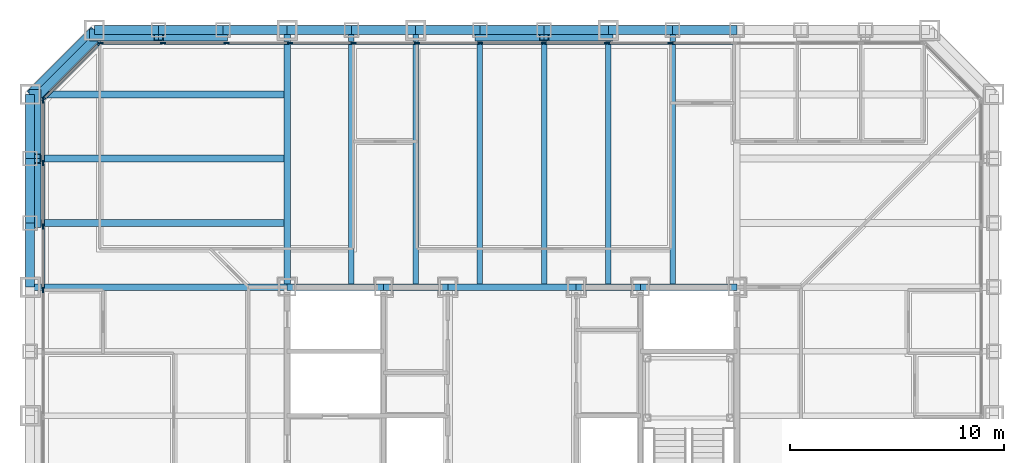
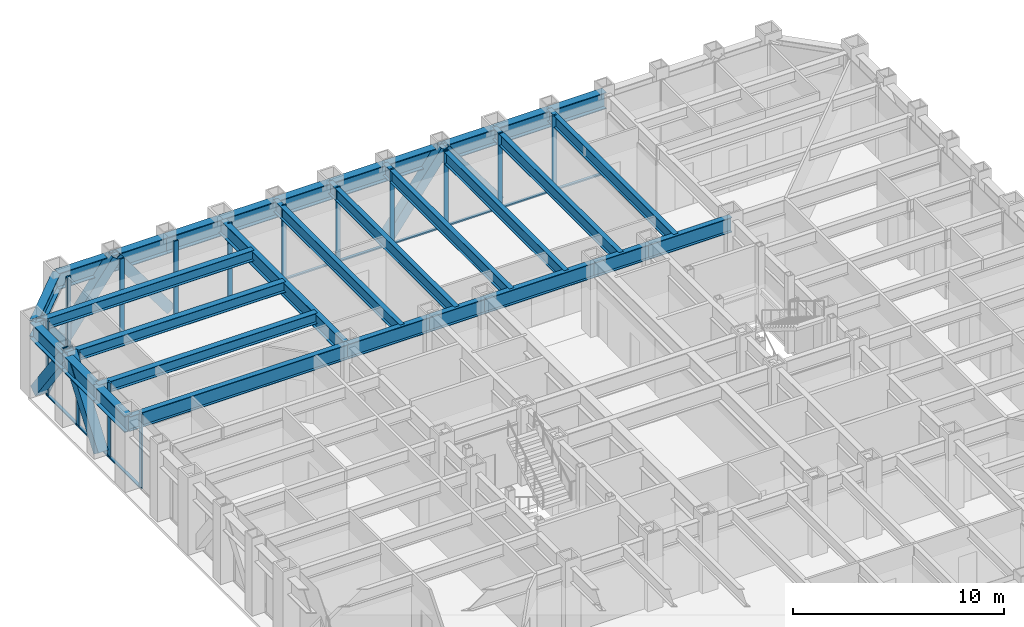
# One storey, part 5 of 16: 37 members, 30 beams, 3 elements without a shape of their own.
"""IFC4 building model written with IfcOpenShell, lengths in metres."""

from ifc_helpers import new_model, si_unit, direction, frame, origin, origin_2d, place, context, subcontext, project, spatial, rectangle, hollow_rectangle, i_section, extrude, material, layer, layer_set, material_profile, profile_set, type_object, element, aggregate, save


model = new_model("IFC4")

# Units and contexts
model_context = context("Model", 3, precision=1e-05, world=origin(), true_north=direction((0.0, 1.0)))
body_context = subcontext(model_context, "Body", "Model", "MODEL_VIEW")
ifc_project = project(units=[si_unit("LENGTHUNIT", "METRE"), si_unit("AREAUNIT", "SQUARE_METRE"), si_unit("VOLUMEUNIT", "CUBIC_METRE"), si_unit("PLANEANGLEUNIT", "RADIAN"), si_unit("MASSUNIT", "GRAM", prefix="KILO")], contexts=[model_context])

# Site, building, storey
site_placement = place(None, origin())
site = spatial("IfcSite", under=ifc_project, at=site_placement, CompositionType="ELEMENT")
building_placement = place(site_placement, origin())
building = spatial("IfcBuilding", under=site, at=building_placement, Name="Chuquiago Exchange Tower", CompositionType="ELEMENT")
storey_placement = place(building_placement, frame((0.0, 0.0, 28.800048828125)))
storey = spatial("IfcBuildingStorey", under=building, at=storey_placement, Name="L05", CompositionType="ELEMENT", Elevation=28.800048828125)

# Beams
ifc_material_1 = material(Name="Steel ASTM A992", Category="steel")
ifc_material_profile_1 = material_profile(ifc_material_1, i_section(OverallWidth=0.2919921875, OverallDepth=0.8583984375, WebThickness=0.01708984375, FlangeThickness=0.031005859375, at=origin_2d()), Name="W33X169")
ifc_profile_set_1 = profile_set([ifc_material_profile_1], Name="Steel ASTM A992")
beam_type_1 = type_object("IfcBeamType", Name="B3 W33X169", PredefinedType="BEAM", material=ifc_profile_set_1)
beam_1_placement = place(storey_placement, frame((12.0, 33.0, 3.610595703125), z_axis=(1.0, 0.0, 0.0), x_axis=(0.0, 1.0, 0.0)))
element("IfcBeam", 1, at=beam_1_placement, inside=storey, type_object=beam_type_1, Name="CB-L06-12_33-16.5_33", PredefinedType="BEAM", context=body_context, shape_type="SweptSolid", body=[
    extrude(i_section(OverallWidth=0.2919921875, OverallDepth=0.8583984375, WebThickness=0.01708984375, FlangeThickness=0.031005859375, at=origin_2d()), origin(), (0.0, 0.0, 1.0), 4.5),
])
beam_2_placement = place(storey_placement, frame((16.5, 33.0, 3.610595703125), z_axis=(1.0, 0.0, 0.0), x_axis=(0.0, 1.0, 0.0)))
element("IfcBeam", 2, at=beam_2_placement, inside=storey, type_object=beam_type_1, Name="CB-L06-16.5_33-19.5_33", PredefinedType="BEAM", context=body_context, shape_type="SweptSolid", body=[
    extrude(i_section(OverallWidth=0.2919921875, OverallDepth=0.8583984375, WebThickness=0.01708984375, FlangeThickness=0.031005859375, at=origin_2d()), origin(), (0.0, 0.0, 1.0), 3.0),
])
beam_3_placement = place(storey_placement, frame((19.5, 33.0, 3.610595703125), z_axis=(1.0, 0.0, 0.0), x_axis=(0.0, 1.0, 0.0)))
element("IfcBeam", 3, at=beam_3_placement, inside=storey, type_object=beam_type_1, Name="CB-L06-19.5_33-25.5_33", PredefinedType="BEAM", context=body_context, shape_type="SweptSolid", body=[
    extrude(i_section(OverallWidth=0.2919921875, OverallDepth=0.8583984375, WebThickness=0.01708984375, FlangeThickness=0.031005859375, at=origin_2d()), origin(), (0.0, 0.0, 1.0), 6.0),
])
beam_4_placement = place(storey_placement, frame((25.5, 33.0, 3.610595703125), z_axis=(1.0, 0.0, 0.0), x_axis=(0.0, 1.0, 0.0)))
element("IfcBeam", 4, at=beam_4_placement, inside=storey, type_object=beam_type_1, Name="CB-L06-25.5_33-28.5_33", PredefinedType="BEAM", context=body_context, shape_type="SweptSolid", body=[
    extrude(i_section(OverallWidth=0.2919921875, OverallDepth=0.8583984375, WebThickness=0.01708984375, FlangeThickness=0.031005859375, at=origin_2d()), origin(), (0.0, 0.0, 1.0), 3.0),
])
beam_5_placement = place(storey_placement, frame((28.5, 33.0, 3.610595703125), z_axis=(1.0, 0.0, 0.0), x_axis=(0.0, 1.0, 0.0)))
element("IfcBeam", 5, at=beam_5_placement, inside=storey, type_object=beam_type_1, Name="CB-L06-28.5_33-33_33", PredefinedType="BEAM", context=body_context, shape_type="SweptSolid", body=[
    extrude(i_section(OverallWidth=0.2919921875, OverallDepth=0.8583984375, WebThickness=0.01708984375, FlangeThickness=0.031005859375, at=origin_2d()), origin(), (0.0, 0.0, 1.0), 4.5),
])
ifc_material_2 = material(Name="Steel ASTM A992", Category="steel")
ifc_material_profile_2 = material_profile(ifc_material_2, i_section(OverallWidth=0.256591796875, OverallDepth=0.693359375, WebThickness=0.014404296875, FlangeThickness=0.023681640625, at=origin_2d()), Name="W27X114")
ifc_profile_set_2 = profile_set([ifc_material_profile_2], Name="Steel ASTM A992")
beam_type_2 = type_object("IfcBeamType", Name="B4 W27X114", PredefinedType="BEAM", material=ifc_profile_set_2)
for number, where, z_axis, x_axis, name in (
    (6, (15.0, 33.0, 3.693359375), (0.0, 1.0, 0.0), (-1.0, 0.0, 0.0), "FB-L06-infill-15_33-15_45-0"),
    (7, (18.0, 33.0, 3.693359375), (0.0, 1.0, 0.0), (-1.0, 0.0, 0.0), "FB-L06-infill-18_33-18_45-0"),
    (8, (21.0, 33.0, 3.693359375), (0.0, 1.0, 0.0), (-1.0, 0.0, 0.0), "FB-L06-infill-21_33-21_45-0"),
    (9, (24.0, 33.0, 3.693359375), (0.0, 1.0, 0.0), (-1.0, 0.0, 0.0), "FB-L06-infill-24_33-24_45-0"),
    (10, (27.0, 33.0, 3.693359375), (0.0, 1.0, 0.0), (-1.0, 0.0, 0.0), "FB-L06-infill-27_33-27_45-0"),
    (11, (30.0, 33.0, 3.693359375), (0.0, 1.0, 0.0), (-1.0, 0.0, 0.0), "FB-L06-infill-30_33-30_45-0"),
):
    element("IfcBeam", number, at=place(storey_placement, frame(where, z_axis=z_axis, x_axis=x_axis)), inside=storey, type_object=beam_type_2, Name=name, PredefinedType="BEAM", context=body_context, shape_type="SweptSolid", body=[
        extrude(i_section(OverallWidth=0.256591796875, OverallDepth=0.693359375, WebThickness=0.014404296875, FlangeThickness=0.023681640625, at=origin_2d()), origin(), (0.0, 0.0, 1.0), 12.0),
    ])
ifc_material_3 = material(Name="Steel ASTM A992", Category="steel")
ifc_material_profile_3 = material_profile(ifc_material_3, i_section(OverallWidth=0.3251953125, OverallDepth=0.6171875, WebThickness=0.013916015625, FlangeThickness=0.021484375, at=origin_2d()), Name="W24X117")
ifc_profile_set_3 = profile_set([ifc_material_profile_3], Name="Steel ASTM A992")
beam_type_3 = type_object("IfcBeamType", Name="B5 W24X117", PredefinedType="BEAM", material=ifc_profile_set_3)
for number, where, z_axis, x_axis, name in (
    (12, (12.0, 36.0, 3.7314453125), (-1.0, 0.0, 0.0), (0.0, -1.0, 0.0), "FB-L06-corner-12_36--0_36-0"),
    (13, (12.0, 39.0, 3.7314453125), (-1.0, 0.0, 0.0), (0.0, -1.0, 0.0), "FB-L06-corner-12_39--0_39-0"),
    (14, (12.0, 42.0, 3.7314453125), (-1.0, 0.0, 0.0), (0.0, -1.0, 0.0), "FB-L06-corner-12_42--0_42-0"),
):
    element("IfcBeam", number, at=place(storey_placement, frame(where, z_axis=z_axis, x_axis=x_axis)), inside=storey, type_object=beam_type_3, Name=name, PredefinedType="BEAM", context=body_context, shape_type="SweptSolid", body=[
        extrude(i_section(OverallWidth=0.3251953125, OverallDepth=0.6171875, WebThickness=0.013916015625, FlangeThickness=0.021484375, at=origin_2d()), origin(), (0.0, 0.0, 1.0), 12.0),
    ])

# Curtain wall, members
ifc_material_4 = material(Name="Aluminium curtain wall system", Category="aluminium")
ifc_layer_1 = layer(ifc_material_4, 0.25)
ifc_layer_set_1 = layer_set([ifc_layer_1], Name="CW1 trading floor curtain wall")
curtain_wall_type_1 = type_object("IfcCurtainWallType", Name="CW1 trading floor curtain wall", PredefinedType="NOTDEFINED", material=ifc_layer_set_1)
curtain_wall_1_placement = place(storey_placement, origin())
curtain_wall_1 = element("IfcCurtainWall", 15, at=curtain_wall_1_placement, inside=storey, type_object=curtain_wall_type_1, Name="CW1 curtain wall L05", PredefinedType="NOTDEFINED")
ifc_material_5 = material(Name="Aluminium mullion, pale anodised", Category="aluminium")
ifc_material_profile_4 = material_profile(ifc_material_5, rectangle(XDim=0.074951171875, YDim=0.25, at=origin_2d()), Name="AL 75x250")
ifc_profile_set_4 = profile_set([ifc_material_profile_4], Name="Aluminium mullion, pale anodised")
member_type_1 = type_object("IfcMemberType", Name="CW1-M mullion 75x250", PredefinedType="MULLION", material=ifc_profile_set_4)
member_1_placement = place(storey_placement, frame((29.904541015625, 44.39990234375, -0.300048828125), z_axis=(0.0, 0.0, 1.0), x_axis=(0.0, -1.0, 0.0)))
member_1 = element("IfcMember", 16, at=member_1_placement, type_object=member_type_1, Name="CW1 mullion 5", PredefinedType="MULLION", context=body_context, shape_type="SweptSolid", body=[
    extrude(rectangle(XDim=0.074951171875, YDim=0.25, at=origin_2d()), origin(), (0.0, 0.0, 1.0), 4.340087890625),
])
member_2_placement = place(storey_placement, frame((26.942626953125, 44.39990234375, -0.300048828125), z_axis=(0.0, 0.0, 1.0), x_axis=(0.0, -1.0, 0.0)))
member_2 = element("IfcMember", 17, at=member_2_placement, type_object=member_type_1, Name="CW1 mullion 6", PredefinedType="MULLION", context=body_context, shape_type="SweptSolid", body=[
    extrude(rectangle(XDim=0.074951171875, YDim=0.25, at=origin_2d()), origin(), (0.0, 0.0, 1.0), 4.340087890625),
])
member_3_placement = place(storey_placement, frame((23.98095703125, 44.39990234375, -0.300048828125), z_axis=(0.0, 0.0, 1.0), x_axis=(0.0, -1.0, 0.0)))
member_3 = element("IfcMember", 18, at=member_3_placement, type_object=member_type_1, Name="CW1 mullion 7", PredefinedType="MULLION", context=body_context, shape_type="SweptSolid", body=[
    extrude(rectangle(XDim=0.074951171875, YDim=0.25, at=origin_2d()), origin(), (0.0, 0.0, 1.0), 4.340087890625),
])
member_4_placement = place(storey_placement, frame((21.01904296875, 44.39990234375, -0.300048828125), z_axis=(0.0, 0.0, 1.0), x_axis=(0.0, -1.0, 0.0)))
member_4 = element("IfcMember", 19, at=member_4_placement, type_object=member_type_1, Name="CW1 mullion 8", PredefinedType="MULLION", context=body_context, shape_type="SweptSolid", body=[
    extrude(rectangle(XDim=0.074951171875, YDim=0.25, at=origin_2d()), origin(), (0.0, 0.0, 1.0), 4.340087890625),
])
member_5_placement = place(storey_placement, frame((18.057373046875, 44.39990234375, -0.300048828125), z_axis=(0.0, 0.0, 1.0), x_axis=(0.0, -1.0, 0.0)))
member_5 = element("IfcMember", 20, at=member_5_placement, type_object=member_type_1, Name="CW1 mullion 9", PredefinedType="MULLION", context=body_context, shape_type="SweptSolid", body=[
    extrude(rectangle(XDim=0.074951171875, YDim=0.25, at=origin_2d()), origin(), (0.0, 0.0, 1.0), 4.340087890625),
])
member_6_placement = place(storey_placement, frame((15.095458984375, 44.39990234375, -0.300048828125), z_axis=(0.0, 0.0, 1.0), x_axis=(0.0, -1.0, 0.0)))
member_6 = element("IfcMember", 21, at=member_6_placement, type_object=member_type_1, Name="CW1 mullion 10", PredefinedType="MULLION", context=body_context, shape_type="SweptSolid", body=[
    extrude(rectangle(XDim=0.074951171875, YDim=0.25, at=origin_2d()), origin(), (0.0, 0.0, 1.0), 4.340087890625),
])
member_7_placement = place(storey_placement, frame((12.1337890625, 44.39990234375, -0.300048828125), z_axis=(0.0, 0.0, 1.0), x_axis=(0.0, -1.0, 0.0)))
member_7 = element("IfcMember", 22, at=member_7_placement, type_object=member_type_1, Name="CW1 mullion 11", PredefinedType="MULLION", context=body_context, shape_type="SweptSolid", body=[
    extrude(rectangle(XDim=0.074951171875, YDim=0.25, at=origin_2d()), origin(), (0.0, 0.0, 1.0), 4.340087890625),
])
member_8_placement = place(storey_placement, frame((9.172119140625, 44.39990234375, -0.300048828125), z_axis=(0.0, 0.0, 1.0), x_axis=(0.0, -1.0, 0.0)))
member_8 = element("IfcMember", 23, at=member_8_placement, type_object=member_type_1, Name="CW1 mullion 12", PredefinedType="MULLION", context=body_context, shape_type="SweptSolid", body=[
    extrude(rectangle(XDim=0.074951171875, YDim=0.25, at=origin_2d()), origin(), (0.0, 0.0, 1.0), 4.340087890625),
])
member_9_placement = place(storey_placement, frame((6.210205078125, 44.39990234375, -0.300048828125), z_axis=(0.0, 0.0, 1.0), x_axis=(0.0, -1.0, 0.0)))
member_9 = element("IfcMember", 24, at=member_9_placement, type_object=member_type_1, Name="CW1 mullion 13", PredefinedType="MULLION", context=body_context, shape_type="SweptSolid", body=[
    extrude(rectangle(XDim=0.074951171875, YDim=0.25, at=origin_2d()), origin(), (0.0, 0.0, 1.0), 4.340087890625),
])
member_10_placement = place(storey_placement, frame((3.285888671875, 44.39990234375, -0.300048828125), z_axis=(0.0, 0.0, 1.0), x_axis=(0.0, -1.0, 0.0)))
member_10 = element("IfcMember", 25, at=member_10_placement, type_object=member_type_1, Name="CW1 mullion 14", PredefinedType="MULLION", context=body_context, shape_type="SweptSolid", body=[
    extrude(rectangle(XDim=0.074951171875, YDim=0.25, at=origin_2d()), origin(), (0.0, 0.0, 1.0), 4.340087890625),
])

curtain_wall_2_placement = place(storey_placement, origin())
curtain_wall_2 = element("IfcCurtainWall", 26, at=curtain_wall_2_placement, inside=storey, type_object=curtain_wall_type_1, Name="CW1 curtain wall L05", PredefinedType="NOTDEFINED")
member_11_placement = place(storey_placement, frame((0.60009765625, 41.714111328125, -0.300048828125), z_axis=(0.0, 0.0, 1.0), x_axis=(1.0, 0.0, 0.0)))
member_11 = element("IfcMember", 27, at=member_11_placement, type_object=member_type_1, Name="CW1 mullion 1", PredefinedType="MULLION", context=body_context, shape_type="SweptSolid", body=[
    extrude(rectangle(XDim=0.074951171875, YDim=0.25, at=origin_2d()), origin(), (0.0, 0.0, 1.0), 4.340087890625),
])
member_12_placement = place(storey_placement, frame((0.60009765625, 38.789794921875, -0.300048828125), z_axis=(0.0, 0.0, 1.0), x_axis=(1.0, 0.0, 0.0)))
member_12 = element("IfcMember", 28, at=member_12_placement, type_object=member_type_1, Name="CW1 mullion 2", PredefinedType="MULLION", context=body_context, shape_type="SweptSolid", body=[
    extrude(rectangle(XDim=0.074951171875, YDim=0.25, at=origin_2d()), origin(), (0.0, 0.0, 1.0), 4.340087890625),
])
member_13_placement = place(storey_placement, frame((0.60009765625, 35.827880859375, -0.300048828125), z_axis=(0.0, 0.0, 1.0), x_axis=(1.0, 0.0, 0.0)))
member_13 = element("IfcMember", 29, at=member_13_placement, type_object=member_type_1, Name="CW1 mullion 3", PredefinedType="MULLION", context=body_context, shape_type="SweptSolid", body=[
    extrude(rectangle(XDim=0.074951171875, YDim=0.25, at=origin_2d()), origin(), (0.0, 0.0, 1.0), 4.340087890625),
])
member_14_placement = place(storey_placement, frame((0.60009765625, 32.8662109375, -0.300048828125), z_axis=(0.0, 0.0, 1.0), x_axis=(1.0, 0.0, 0.0)))
member_14 = element("IfcMember", 30, at=member_14_placement, type_object=member_type_1, Name="CW1 mullion 4", PredefinedType="MULLION", context=body_context, shape_type="SweptSolid", body=[
    extrude(rectangle(XDim=0.074951171875, YDim=0.25, at=origin_2d()), origin(), (0.0, 0.0, 1.0), 4.340087890625),
])

# Member
ifc_material_6 = material(Name="Aluminium transom, pale anodised", Category="aluminium")
ifc_material_profile_5 = material_profile(ifc_material_6, rectangle(XDim=0.14990234375, YDim=0.074951171875, at=origin_2d()), Name="AL 150x75")
ifc_profile_set_5 = profile_set([ifc_material_profile_5], Name="Aluminium transom, pale anodised")
member_type_2 = type_object("IfcMemberType", Name="CW1-T transom 75x150", PredefinedType="MULLION", material=ifc_profile_set_5)
member_15_placement = place(storey_placement, frame((32.82861328125, 44.39990234375, -0.262451171875), z_axis=(-1.0, 0.0, 0.0), x_axis=(0.0, -1.0, 0.0)))
member_15 = element("IfcMember", 31, at=member_15_placement, type_object=member_type_2, Name="CW1 transom 4.1", PredefinedType="MULLION", context=body_context, shape_type="SweptSolid", body=[
    extrude(rectangle(XDim=0.14990234375, YDim=0.074951171875, at=origin_2d()), origin(), (0.0, 0.0, 1.0), 2.88671875),
])

member_16_placement = place(storey_placement, frame((29.866943359375, 44.39990234375, -0.262451171875), z_axis=(-1.0, 0.0, 0.0), x_axis=(0.0, -1.0, 0.0)))
member_16 = element("IfcMember", 32, at=member_16_placement, type_object=member_type_2, Name="CW1 transom 5.1", PredefinedType="MULLION", context=body_context, shape_type="SweptSolid", body=[
    extrude(rectangle(XDim=0.14990234375, YDim=0.074951171875, at=origin_2d()), origin(), (0.0, 0.0, 1.0), 2.88671875),
])

member_17_placement = place(storey_placement, frame((26.9052734375, 44.39990234375, -0.262451171875), z_axis=(-1.0, 0.0, 0.0), x_axis=(0.0, -1.0, 0.0)))
member_17 = element("IfcMember", 33, at=member_17_placement, type_object=member_type_2, Name="CW1 transom 6.1", PredefinedType="MULLION", context=body_context, shape_type="SweptSolid", body=[
    extrude(rectangle(XDim=0.14990234375, YDim=0.074951171875, at=origin_2d()), origin(), (0.0, 0.0, 1.0), 2.886962890625),
])

member_18_placement = place(storey_placement, frame((23.943359375, 44.39990234375, -0.262451171875), z_axis=(-1.0, 0.0, 0.0), x_axis=(0.0, -1.0, 0.0)))
member_18 = element("IfcMember", 34, at=member_18_placement, type_object=member_type_2, Name="CW1 transom 7.1", PredefinedType="MULLION", context=body_context, shape_type="SweptSolid", body=[
    extrude(rectangle(XDim=0.14990234375, YDim=0.074951171875, at=origin_2d()), origin(), (0.0, 0.0, 1.0), 2.88671875),
])

member_19_placement = place(storey_placement, frame((20.981689453125, 44.39990234375, -0.262451171875), z_axis=(-1.0, 0.0, 0.0), x_axis=(0.0, -1.0, 0.0)))
member_19 = element("IfcMember", 35, at=member_19_placement, type_object=member_type_2, Name="CW1 transom 8.1", PredefinedType="MULLION", context=body_context, shape_type="SweptSolid", body=[
    extrude(rectangle(XDim=0.14990234375, YDim=0.074951171875, at=origin_2d()), origin(), (0.0, 0.0, 1.0), 2.886962890625),
])

member_20_placement = place(storey_placement, frame((18.019775390625, 44.39990234375, -0.262451171875), z_axis=(-1.0, 0.0, 0.0), x_axis=(0.0, -1.0, 0.0)))
member_20 = element("IfcMember", 36, at=member_20_placement, type_object=member_type_2, Name="CW1 transom 9.1", PredefinedType="MULLION", context=body_context, shape_type="SweptSolid", body=[
    extrude(rectangle(XDim=0.14990234375, YDim=0.074951171875, at=origin_2d()), origin(), (0.0, 0.0, 1.0), 2.88671875),
])

member_21_placement = place(storey_placement, frame((15.05810546875, 44.39990234375, -0.262451171875), z_axis=(-1.0, 0.0, 0.0), x_axis=(0.0, -1.0, 0.0)))
member_21 = element("IfcMember", 37, at=member_21_placement, type_object=member_type_2, Name="CW1 transom 10.1", PredefinedType="MULLION", context=body_context, shape_type="SweptSolid", body=[
    extrude(rectangle(XDim=0.14990234375, YDim=0.074951171875, at=origin_2d()), origin(), (0.0, 0.0, 1.0), 2.88671875),
])

member_22_placement = place(storey_placement, frame((12.09619140625, 44.39990234375, -0.262451171875), z_axis=(-1.0, 0.0, 0.0), x_axis=(0.0, -1.0, 0.0)))
member_22 = element("IfcMember", 38, at=member_22_placement, type_object=member_type_2, Name="CW1 transom 11.1", PredefinedType="MULLION", context=body_context, shape_type="SweptSolid", body=[
    extrude(rectangle(XDim=0.14990234375, YDim=0.074951171875, at=origin_2d()), origin(), (0.0, 0.0, 1.0), 2.88671875),
])

member_23_placement = place(storey_placement, frame((9.134521484375, 44.39990234375, -0.262451171875), z_axis=(-1.0, 0.0, 0.0), x_axis=(0.0, -1.0, 0.0)))
member_23 = element("IfcMember", 39, at=member_23_placement, type_object=member_type_2, Name="CW1 transom 12.1", PredefinedType="MULLION", context=body_context, shape_type="SweptSolid", body=[
    extrude(rectangle(XDim=0.14990234375, YDim=0.074951171875, at=origin_2d()), origin(), (0.0, 0.0, 1.0), 2.88671875),
])

member_24_placement = place(storey_placement, frame((6.1728515625, 44.39990234375, -0.262451171875), z_axis=(-1.0, 0.0, 0.0), x_axis=(0.0, -1.0, 0.0)))
member_24 = element("IfcMember", 40, at=member_24_placement, type_object=member_type_2, Name="CW1 transom 13.1", PredefinedType="MULLION", context=body_context, shape_type="SweptSolid", body=[
    extrude(rectangle(XDim=0.14990234375, YDim=0.074951171875, at=origin_2d()), origin(), (0.0, 0.0, 1.0), 2.849365234375),
])

aggregate(curtain_wall_1, [member_1, member_2, member_3, member_4, member_5, member_6, member_7, member_8, member_9, member_10, member_15, member_16, member_17, member_18, member_19, member_20, member_21, member_22, member_23, member_24])

member_25_placement = place(storey_placement, frame((0.60009765625, 41.676513671875, -0.262451171875), z_axis=(0.0, -1.0, 0.0), x_axis=(1.0, 0.0, 0.0)))
member_25 = element("IfcMember", 41, at=member_25_placement, type_object=member_type_2, Name="CW1 transom 1.1", PredefinedType="MULLION", context=body_context, shape_type="SweptSolid", body=[
    extrude(rectangle(XDim=0.14990234375, YDim=0.074951171875, at=origin_2d()), origin(), (0.0, 0.0, 1.0), 2.849365234375),
])

member_26_placement = place(storey_placement, frame((0.60009765625, 38.752197265625, -0.262451171875), z_axis=(0.0, -1.0, 0.0), x_axis=(1.0, 0.0, 0.0)))
member_26 = element("IfcMember", 42, at=member_26_placement, type_object=member_type_2, Name="CW1 transom 2.1", PredefinedType="MULLION", context=body_context, shape_type="SweptSolid", body=[
    extrude(rectangle(XDim=0.14990234375, YDim=0.074951171875, at=origin_2d()), origin(), (0.0, 0.0, 1.0), 2.88671875),
])

member_27_placement = place(storey_placement, frame((0.60009765625, 35.79052734375, -0.262451171875), z_axis=(0.0, -1.0, 0.0), x_axis=(1.0, 0.0, 0.0)))
member_27 = element("IfcMember", 43, at=member_27_placement, type_object=member_type_2, Name="CW1 transom 3.1", PredefinedType="MULLION", context=body_context, shape_type="SweptSolid", body=[
    extrude(rectangle(XDim=0.14990234375, YDim=0.074951171875, at=origin_2d()), origin(), (0.0, 0.0, 1.0), 2.88671875),
])

aggregate(curtain_wall_2, [member_11, member_12, member_13, member_14, member_25, member_26, member_27])

# Curtain wall, members
ifc_material_7 = material(Name="Aluminium curtain wall system", Category="aluminium")
ifc_layer_2 = layer(ifc_material_7, 0.199951171875)
ifc_layer_set_2 = layer_set([ifc_layer_2], Name="CW3 facet curtain wall")
curtain_wall_type_2 = type_object("IfcCurtainWallType", Name="CW3 facet curtain wall", PredefinedType="NOTDEFINED", material=ifc_layer_set_2)
curtain_wall_3_placement = place(storey_placement, origin())
curtain_wall_3 = element("IfcCurtainWall", 44, at=curtain_wall_3_placement, inside=storey, type_object=curtain_wall_type_2, Name="CW3 curtain wall L05", PredefinedType="NOTDEFINED")
ifc_material_8 = material(Name="Aluminium mullion, pale anodised", Category="aluminium")
ifc_material_profile_6 = material_profile(ifc_material_8, rectangle(XDim=0.06494140625, YDim=0.199951171875, at=origin_2d()), Name="AL 65x200")
ifc_profile_set_6 = profile_set([ifc_material_profile_6], Name="Aluminium mullion, pale anodised")
member_type_3 = type_object("IfcMemberType", Name="CW3-M mullion 65x200", PredefinedType="MULLION", material=ifc_profile_set_6)
member_28_placement = place(storey_placement, frame((3.2255859375, 44.376953125, -0.300048828125), z_axis=(0.0, 0.0, 1.0), x_axis=(0.707106781187, -0.707106781187, 0.0)))
member_28 = element("IfcMember", 45, at=member_28_placement, type_object=member_type_3, Name="CW3 mullion 1", PredefinedType="MULLION", context=body_context, shape_type="SweptSolid", body=[
    extrude(rectangle(XDim=0.06494140625, YDim=0.199951171875, at=origin_2d()), origin(), (0.0, 0.0, 1.0), 4.340087890625),
])
member_29_placement = place(storey_placement, frame((0.623046875, 41.7744140625, -0.300048828125), z_axis=(0.0, 0.0, 1.0), x_axis=(0.707106781187, -0.707106781187, 0.0)))
member_29 = element("IfcMember", 46, at=member_29_placement, type_object=member_type_3, Name="CW3 mullion 2", PredefinedType="MULLION", context=body_context, shape_type="SweptSolid", body=[
    extrude(rectangle(XDim=0.06494140625, YDim=0.199951171875, at=origin_2d()), origin(), (0.0, 0.0, 1.0), 4.340087890625),
])
ifc_material_9 = material(Name="Aluminium transom, pale anodised", Category="aluminium")
ifc_material_profile_7 = material_profile(ifc_material_9, rectangle(XDim=0.139892578125, YDim=0.06494140625, at=origin_2d()), Name="AL 140x65")
ifc_profile_set_7 = profile_set([ifc_material_profile_7], Name="Aluminium transom, pale anodised")
member_type_4 = type_object("IfcMemberType", Name="CW3-T transom 65x140", PredefinedType="MULLION", material=ifc_profile_set_7)
member_30_placement = place(storey_placement, frame((3.20263671875, 44.35400390625, -0.267578125), z_axis=(-0.707106781187, -0.707106781187, 0.0), x_axis=(0.707106781187, -0.707106781187, 0.0)))
member_30 = element("IfcMember", 47, at=member_30_placement, type_object=member_type_4, Name="CW3 transom 1.1", PredefinedType="MULLION", context=body_context, shape_type="SweptSolid", body=[
    extrude(rectangle(XDim=0.139892578125, YDim=0.06494140625, at=origin_2d()), origin(), (0.0, 0.0, 1.0), 3.61572265625),
])
aggregate(curtain_wall_3, [member_28, member_29, member_30])

# Beams
ifc_material_10 = material(Name="Steel ASTM A992", Category="steel")
ifc_material_profile_8 = material_profile(ifc_material_10, i_section(OverallWidth=0.2919921875, OverallDepth=0.8583984375, WebThickness=0.01708984375, FlangeThickness=0.031005859375, at=origin_2d()), Name="W33X169")
ifc_profile_set_8 = profile_set([ifc_material_profile_8], Name="Steel ASTM A992")
beam_type_4 = type_object("IfcBeamType", Name="G2 W33X169", PredefinedType="BEAM", material=ifc_profile_set_8)
for number, where, z_axis, x_axis, name in (
    (48, (12.0, 33.0, 3.610595703125), (0.0, 1.0, 0.0), (-1.0, 0.0, 0.0), "FB-L06-girder-12_33-12_45-0"),
    (49, (12.0, 33.0, 3.610595703125), (-1.0, 0.0, 0.0), (0.0, -1.0, 0.0), "FB-L06-girder-12_33--0_33-0"),
):
    element("IfcBeam", number, at=place(storey_placement, frame(where, z_axis=z_axis, x_axis=x_axis)), inside=storey, type_object=beam_type_4, Name=name, PredefinedType="BEAM", context=body_context, shape_type="SweptSolid", body=[
        extrude(i_section(OverallWidth=0.2919921875, OverallDepth=0.8583984375, WebThickness=0.01708984375, FlangeThickness=0.031005859375, at=origin_2d()), origin(), (0.0, 0.0, 1.0), 12.0),
    ])

# Members
ifc_material_11 = material(Name="Steel ASTM A500 Grade C", Category="steel")
ifc_material_profile_9 = material_profile(ifc_material_11, hollow_rectangle(XDim=0.406494140625, YDim=0.406494140625, WallThickness=0.0146484375, at=origin_2d()), Name="HSS16X16X5/8")
ifc_profile_set_9 = profile_set([ifc_material_profile_9], Name="Steel ASTM A500 Grade C")
member_type_5 = type_object("IfcMemberType", Name="LB4 HSS16X16X5/8", PredefinedType="BRACE", material=ifc_profile_set_9)
member_31_placement = place(storey_placement, frame((3.21337890625, 44.78662109375, 0.0), z_axis=(-0.512077265487, -0.512077265487, 0.689604051861), x_axis=(0.707106781187, -0.707106781187, 0.0)))
element("IfcMember", 50, at=member_31_placement, inside=storey, type_object=member_type_5, Name="LB-L05-3_45-0_42", PredefinedType="BRACE", context=body_context, shape_type="SweptSolid", body=[
    extrude(hollow_rectangle(XDim=0.406494140625, YDim=0.406494140625, WallThickness=0.0146484375, at=origin_2d()), origin(), (0.0, 0.0, 1.0), 5.8583984375),
])
ifc_material_12 = material(Name="Steel ASTM A572 Grade 50", Category="steel")
ifc_material_profile_10 = material_profile(ifc_material_12, hollow_rectangle(XDim=0.550048828125, YDim=0.550048828125, WallThickness=0.044921875, at=origin_2d()), Name="BOX550X550X45")
ifc_profile_set_10 = profile_set([ifc_material_profile_10], Name="Steel ASTM A572 Grade 50")
member_type_6 = type_object("IfcMemberType", Name="MB1 BOX550X550X45", PredefinedType="BRACE", material=ifc_profile_set_10)
for number, where, z_axis, x_axis, name in (
    (51, (27.0, 44.77001953125, 0.0), (-0.596173923302, 0.0, 0.802855312728), (0.0, -1.0, 0.0), "Mega diagonal L05 N face"),
    (52, (21.0, 44.77001953125, 0.0), (0.596173923302, 0.0, 0.802855312728), (0.0, 1.0, 0.0), "Mega diagonal L05 N face"),
    (53, (9.0, 44.77001953125, 0.0), (-0.596173923302, 0.0, 0.802855312728), (0.0, -1.0, 0.0), "Mega diagonal L05 N face"),
    (54, (3.0, 44.77001953125, 0.0), (0.596173923302, 0.0, 0.802855312728), (0.0, 1.0, 0.0), "Mega diagonal L05 N face"),
    (55, (0.22998046875, 42.0, 0.0), (0.0, -0.596173923302, 0.802855312728), (1.0, 0.0, 0.0), "Mega diagonal L05 W face"),
    (56, (0.22998046875, 36.0, 0.0), (0.0, 0.596173923302, 0.802855312728), (-1.0, 0.0, 0.0), "Mega diagonal L05 W face"),
):
    element("IfcMember", number, at=place(storey_placement, frame(where, z_axis=z_axis, x_axis=x_axis)), inside=storey, type_object=member_type_6, Name=name, PredefinedType="BRACE", context=body_context, shape_type="SweptSolid", body=[
        extrude(hollow_rectangle(XDim=0.550048828125, YDim=0.550048828125, WallThickness=0.044921875, at=origin_2d()), origin(), (0.0, 0.0, 1.0), 5.031982421875),
    ])

# Beams
ifc_material_13 = material(Name="Steel ASTM A992", Category="steel")
ifc_material_profile_11 = material_profile(ifc_material_13, i_section(OverallWidth=0.424072265625, OverallDepth=0.947509765625, WebThickness=0.02392578125, FlangeThickness=0.042724609375, at=origin_2d()), Name="W36X302")
ifc_profile_set_11 = profile_set([ifc_material_profile_11], Name="Steel ASTM A992")
beam_type_5 = type_object("IfcBeamType", Name="SP1 W36X302", PredefinedType="SPANDREL", material=ifc_profile_set_11)
for number, where, z_axis, x_axis, name in (
    (57, (33.0, 45.0, 3.566162109375), (-1.0, 0.0, 0.0), (0.0, -1.0, 0.0), "SPB-L06-33_45-30_45"),
    (58, (30.0, 45.0, 3.566162109375), (-1.0, 0.0, 0.0), (0.0, -1.0, 0.0), "SPB-L06-30_45-27_45"),
    (59, (27.0, 45.0, 3.566162109375), (-1.0, 0.0, 0.0), (0.0, -1.0, 0.0), "SPB-L06-27_45-24_45"),
    (60, (24.0, 45.0, 3.566162109375), (-1.0, 0.0, 0.0), (0.0, -1.0, 0.0), "SPB-L06-24_45-21_45"),
    (61, (21.0, 45.0, 3.566162109375), (-1.0, 0.0, 0.0), (0.0, -1.0, 0.0), "SPB-L06-21_45-18_45"),
    (62, (18.0, 45.0, 3.566162109375), (-1.0, 0.0, 0.0), (0.0, -1.0, 0.0), "SPB-L06-18_45-15_45"),
    (63, (15.0, 45.0, 3.566162109375), (-1.0, 0.0, 0.0), (0.0, -1.0, 0.0), "SPB-L06-15_45-12_45"),
    (64, (12.0, 45.0, 3.566162109375), (-1.0, 0.0, 0.0), (0.0, -1.0, 0.0), "SPB-L06-12_45-9_45"),
    (65, (9.0, 45.0, 3.566162109375), (-1.0, 0.0, 0.0), (0.0, -1.0, 0.0), "SPB-L06-9_45-6_45"),
    (66, (6.0, 45.0, 3.566162109375), (-1.0, 0.0, 0.0), (0.0, -1.0, 0.0), "SPB-L06-6_45-3_45"),
):
    element("IfcBeam", number, at=place(storey_placement, frame(where, z_axis=z_axis, x_axis=x_axis)), inside=storey, type_object=beam_type_5, Name=name, PredefinedType="SPANDREL", context=body_context, shape_type="SweptSolid", body=[
        extrude(i_section(OverallWidth=0.424072265625, OverallDepth=0.947509765625, WebThickness=0.02392578125, FlangeThickness=0.042724609375, at=origin_2d()), origin(), (0.0, 0.0, 1.0), 3.0),
    ])
beam_6_placement = place(storey_placement, frame((3.0, 45.0, 3.566162109375), z_axis=(-0.707106781187, -0.707106781187, 0.0), x_axis=(0.707106781187, -0.707106781187, 0.0)))
element("IfcBeam", 67, at=beam_6_placement, inside=storey, type_object=beam_type_5, Name="SPB-L06-3_45-0_42", PredefinedType="SPANDREL", context=body_context, shape_type="SweptSolid", body=[
    extrude(i_section(OverallWidth=0.424072265625, OverallDepth=0.947509765625, WebThickness=0.02392578125, FlangeThickness=0.042724609375, at=origin_2d()), origin(), (0.0, 0.0, 1.0), 4.24267578125),
])
for number, where, z_axis, x_axis, name in (
    (68, (0.0, 42.0, 3.566162109375), (0.0, -1.0, 0.0), (1.0, 0.0, 0.0), "SPB-L06-0_42-0_39"),
    (69, (0.0, 39.0, 3.566162109375), (0.0, -1.0, 0.0), (1.0, 0.0, 0.0), "SPB-L06-0_39-0_36"),
    (70, (0.0, 36.0, 3.566162109375), (0.0, -1.0, 0.0), (1.0, 0.0, 0.0), "SPB-L06-0_36-0_33"),
):
    element("IfcBeam", number, at=place(storey_placement, frame(where, z_axis=z_axis, x_axis=x_axis)), inside=storey, type_object=beam_type_5, Name=name, PredefinedType="SPANDREL", context=body_context, shape_type="SweptSolid", body=[
        extrude(i_section(OverallWidth=0.424072265625, OverallDepth=0.947509765625, WebThickness=0.02392578125, FlangeThickness=0.042724609375, at=origin_2d()), origin(), (0.0, 0.0, 1.0), 3.0),
    ])

save(model, "model.ifc")
